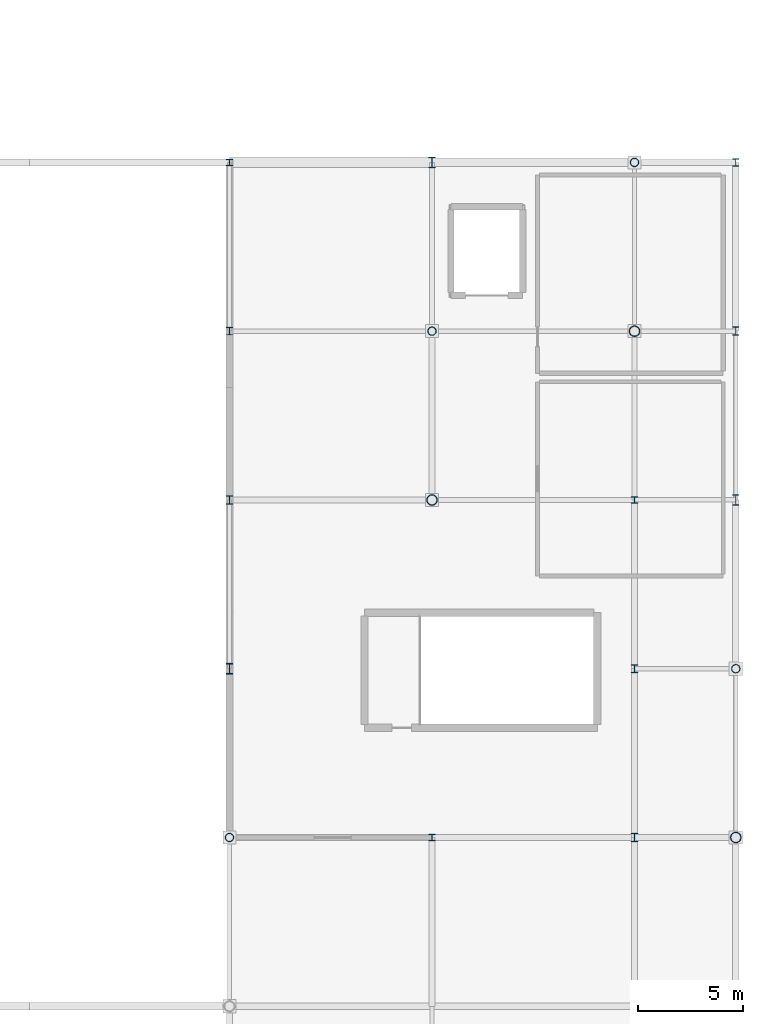
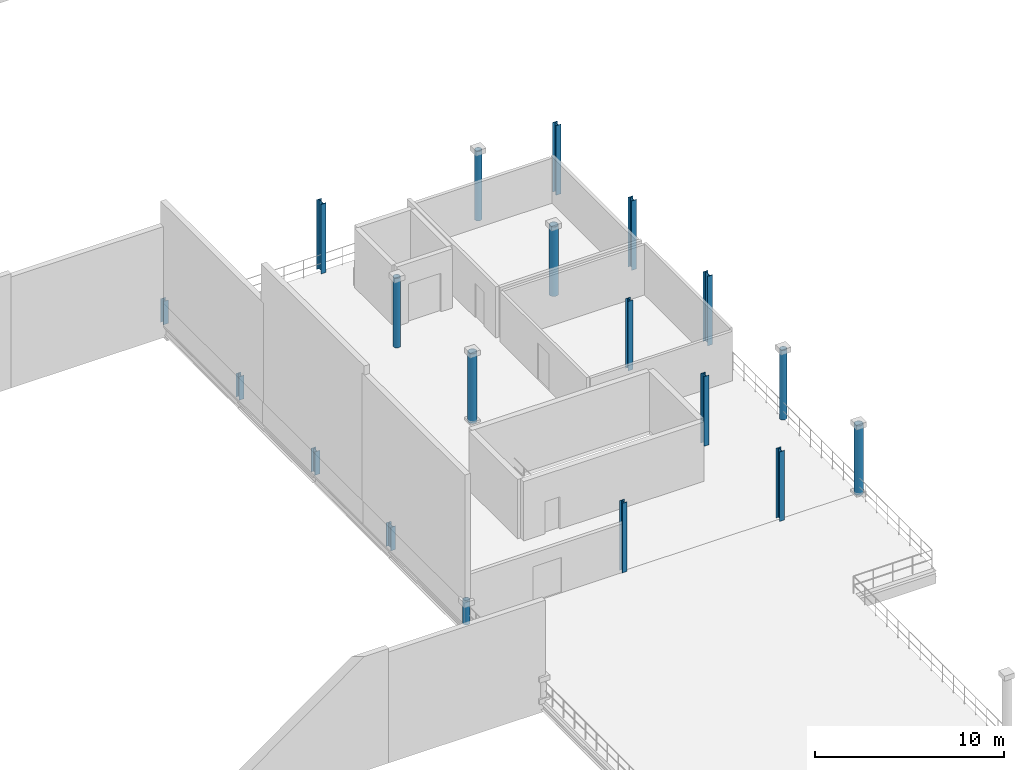
# One storey, part 11 of 59: 19 columns.
"""IFC4 building model written with IfcOpenShell, lengths in metres."""

from ifc_helpers import new_model, si_unit, direction, frame, origin, origin_2d, place, context, subcontext, project, spatial, hollow_circle, i_section, extrude, material, material_profile, profile_set, type_object, element, save


model = new_model("IFC4")

# Units and contexts
model_context = context("Model", 3, precision=1e-05, world=origin(), true_north=direction((0.0, 1.0)))
body_context = subcontext(model_context, "Body", "Model", "MODEL_VIEW")
ifc_project = project(units=[si_unit("LENGTHUNIT", "METRE"), si_unit("AREAUNIT", "SQUARE_METRE"), si_unit("VOLUMEUNIT", "CUBIC_METRE"), si_unit("PLANEANGLEUNIT", "RADIAN"), si_unit("MASSUNIT", "GRAM", prefix="KILO")], contexts=[model_context])

# Site, building, storey
site_placement = place(None, origin())
site = spatial("IfcSite", under=ifc_project, at=site_placement, CompositionType="ELEMENT")
building_placement = place(site_placement, origin())
building = spatial("IfcBuilding", under=site, at=building_placement, Name="Danafjord Basin Convention Centre", CompositionType="ELEMENT")
storey_placement = place(building_placement, frame((0.0, 0.0, 15.89990234375)))
storey = spatial("IfcBuildingStorey", under=building, at=storey_placement, Name="L03", CompositionType="ELEMENT", Elevation=15.89990234375)

# Columns
ifc_material = material(Name="Steel S355", Category="steel")
ifc_material_profile_1 = material_profile(ifc_material, hollow_circle(Radius=0.203125, WallThickness=0.02001953125, at=origin_2d()), Name="CHS 406.4x20.0")
ifc_profile_set_1 = profile_set([ifc_material_profile_1], Name="Steel S355")
column_type_1 = type_object("IfcColumnType", Name="COL-C-CHS406", PredefinedType="COLUMN", material=ifc_profile_set_1)
column_1_placement = place(storey_placement, frame((192.0, 48.0, 0.0), z_axis=(0.0, 0.0, 1.0), x_axis=(1.0, 0.0, 0.0)))
element("IfcColumn", 1, at=column_1_placement, inside=storey, type_object=column_type_1, Name="L03 column C-CHS406 at (192.0, 48.0)", PredefinedType="COLUMN", context=body_context, shape_type="SweptSolid", body=[
    extrude(hollow_circle(Radius=0.203125, WallThickness=0.02001953125, at=origin_2d()), origin(), (0.0, 0.0, 1.0), 1.52001953125),
])
for number, where, z_axis, x_axis, name in (
    (2, (201.60009765625, 72.0, 0.0), (0.0, 0.0, 1.0), (1.0, 0.0, 0.0), "L03 column C-CHS406 at (201.6, 72.0)"),
    (3, (211.199951171875, 80.0, 0.0), (0.0, 0.0, 1.0), (1.0, 0.0, 0.0), "L03 column C-CHS406 at (211.2, 80.0)"),
    (4, (216.0, 56.0, 0.0), (0.0, 0.0, 1.0), (1.0, 0.0, 0.0), "L03 column C-CHS406 at (216.0, 56.0)"),
):
    element("IfcColumn", number, at=place(storey_placement, frame(where, z_axis=z_axis, x_axis=x_axis)), inside=storey, type_object=column_type_1, Name=name, PredefinedType="COLUMN", context=body_context, shape_type="SweptSolid", body=[
        extrude(hollow_circle(Radius=0.203125, WallThickness=0.02001953125, at=origin_2d()), origin(), (0.0, 0.0, 1.0), 4.5),
    ])
ifc_material_profile_2 = material_profile(ifc_material, hollow_circle(Radius=0.25390625, WallThickness=0.02490234375, at=origin_2d()), Name="CHS 508.0x25.0")
ifc_profile_set_2 = profile_set([ifc_material_profile_2], Name="Steel S355")
column_type_2 = type_object("IfcColumnType", Name="COL-C-CHS508", PredefinedType="COLUMN", material=ifc_profile_set_2)
for number, where, z_axis, x_axis, name in (
    (5, (201.60009765625, 64.0, 0.0), (0.0, 0.0, 1.0), (1.0, 0.0, 0.0), "L03 column C-CHS508 at (201.6, 64.0)"),
    (6, (211.199951171875, 72.0, 0.0), (0.0, 0.0, 1.0), (1.0, 0.0, 0.0), "L03 column C-CHS508 at (211.2, 72.0)"),
    (7, (216.0, 48.0, 0.0), (0.0, 0.0, 1.0), (1.0, 0.0, 0.0), "L03 column C-CHS508 at (216.0, 48.0)"),
):
    element("IfcColumn", number, at=place(storey_placement, frame(where, z_axis=z_axis, x_axis=x_axis)), inside=storey, type_object=column_type_2, Name=name, PredefinedType="COLUMN", context=body_context, shape_type="SweptSolid", body=[
        extrude(hollow_circle(Radius=0.25390625, WallThickness=0.02490234375, at=origin_2d()), origin(), (0.0, 0.0, 1.0), 4.5),
    ])
ifc_material_profile_3 = material_profile(ifc_material, i_section(OverallWidth=0.300048828125, OverallDepth=0.300048828125, WebThickness=0.010986328125, FlangeThickness=0.01904296875, FilletRadius=0.027099609375, at=origin_2d()), Name="HEB 300")
ifc_profile_set_3 = profile_set([ifc_material_profile_3], Name="Steel S355")
column_type_3 = type_object("IfcColumnType", Name="COL-C-HEB300", PredefinedType="COLUMN", material=ifc_profile_set_3)
column_2_placement = place(storey_placement, frame((192.0, 80.0, 0.0), z_axis=(0.0, 0.0, 1.0), x_axis=(1.0, 0.0, 0.0)))
element("IfcColumn", 8, at=column_2_placement, inside=storey, type_object=column_type_3, Name="L03 column C-HEB300 at (192.0, 80.0)", PredefinedType="COLUMN", context=body_context, shape_type="SweptSolid", body=[
    extrude(i_section(OverallWidth=0.300048828125, OverallDepth=0.300048828125, WebThickness=0.010986328125, FlangeThickness=0.01904296875, FilletRadius=0.027099609375, at=origin_2d()), origin(), (0.0, 0.0, 1.0), 1.52001953125),
])
for number, where, z_axis, x_axis, name in (
    (9, (201.60009765625, 48.0, 0.0), (0.0, 0.0, 1.0), (1.0, 0.0, 0.0), "L03 column C-HEB300 at (201.6, 48.0)"),
    (10, (211.199951171875, 64.0, 0.0), (0.0, 0.0, 1.0), (1.0, 0.0, 0.0), "L03 column C-HEB300 at (211.2, 64.0)"),
):
    element("IfcColumn", number, at=place(storey_placement, frame(where, z_axis=z_axis, x_axis=x_axis)), inside=storey, type_object=column_type_3, Name=name, PredefinedType="COLUMN", context=body_context, shape_type="SweptSolid", body=[
        extrude(i_section(OverallWidth=0.300048828125, OverallDepth=0.300048828125, WebThickness=0.010986328125, FlangeThickness=0.01904296875, FilletRadius=0.027099609375, at=origin_2d()), origin(), (0.0, 0.0, 1.0), 4.5),
    ])
ifc_material_profile_4 = material_profile(ifc_material, i_section(OverallWidth=0.300048828125, OverallDepth=0.360107421875, WebThickness=0.012451171875, FlangeThickness=0.0224609375, FilletRadius=0.027099609375, at=origin_2d()), Name="HEB 360")
ifc_profile_set_4 = profile_set([ifc_material_profile_4], Name="Steel S355")
column_type_4 = type_object("IfcColumnType", Name="COL-C-HEB360", PredefinedType="COLUMN", material=ifc_profile_set_4)
column_3_placement = place(storey_placement, frame((192.0, 72.0, 0.0), z_axis=(0.0, 0.0, 1.0), x_axis=(1.0, 0.0, 0.0)))
element("IfcColumn", 11, at=column_3_placement, inside=storey, type_object=column_type_4, Name="L03 column C-HEB360 at (192.0, 72.0)", PredefinedType="COLUMN", context=body_context, shape_type="SweptSolid", body=[
    extrude(i_section(OverallWidth=0.300048828125, OverallDepth=0.360107421875, WebThickness=0.012451171875, FlangeThickness=0.0224609375, FilletRadius=0.027099609375, at=origin_2d()), origin(), (0.0, 0.0, 1.0), 1.52001953125),
])
for number, where, z_axis, x_axis, name in (
    (12, (211.199951171875, 56.0, 0.0), (0.0, 0.0, 1.0), (1.0, 0.0, 0.0), "L03 column C-HEB360 at (211.2, 56.0)"),
    (13, (216.0, 80.0, 0.0), (0.0, 0.0, 1.0), (1.0, 0.0, 0.0), "L03 column C-HEB360 at (216.0, 80.0)"),
):
    element("IfcColumn", number, at=place(storey_placement, frame(where, z_axis=z_axis, x_axis=x_axis)), inside=storey, type_object=column_type_4, Name=name, PredefinedType="COLUMN", context=body_context, shape_type="SweptSolid", body=[
        extrude(i_section(OverallWidth=0.300048828125, OverallDepth=0.360107421875, WebThickness=0.012451171875, FlangeThickness=0.0224609375, FilletRadius=0.027099609375, at=origin_2d()), origin(), (0.0, 0.0, 1.0), 4.5),
    ])
ifc_material_profile_5 = material_profile(ifc_material, i_section(OverallWidth=0.300048828125, OverallDepth=0.39990234375, WebThickness=0.013427734375, FlangeThickness=0.02392578125, FilletRadius=0.027099609375, at=origin_2d()), Name="HEB 400")
ifc_profile_set_5 = profile_set([ifc_material_profile_5], Name="Steel S355")
column_type_5 = type_object("IfcColumnType", Name="COL-C-HEB400", PredefinedType="COLUMN", material=ifc_profile_set_5)
column_4_placement = place(storey_placement, frame((192.0, 64.0, 0.0), z_axis=(0.0, 0.0, 1.0), x_axis=(1.0, 0.0, 0.0)))
element("IfcColumn", 14, at=column_4_placement, inside=storey, type_object=column_type_5, Name="L03 column C-HEB400 at (192.0, 64.0)", PredefinedType="COLUMN", context=body_context, shape_type="SweptSolid", body=[
    extrude(i_section(OverallWidth=0.300048828125, OverallDepth=0.39990234375, WebThickness=0.013427734375, FlangeThickness=0.02392578125, FilletRadius=0.027099609375, at=origin_2d()), origin(), (0.0, 0.0, 1.0), 1.52001953125),
])
for number, where, z_axis, x_axis, name in (
    (15, (211.199951171875, 48.0, 0.0), (0.0, 0.0, 1.0), (1.0, 0.0, 0.0), "L03 column C-HEB400 at (211.2, 48.0)"),
    (16, (216.0, 72.0, 0.0), (0.0, 0.0, 1.0), (1.0, 0.0, 0.0), "L03 column C-HEB400 at (216.0, 72.0)"),
):
    element("IfcColumn", number, at=place(storey_placement, frame(where, z_axis=z_axis, x_axis=x_axis)), inside=storey, type_object=column_type_5, Name=name, PredefinedType="COLUMN", context=body_context, shape_type="SweptSolid", body=[
        extrude(i_section(OverallWidth=0.300048828125, OverallDepth=0.39990234375, WebThickness=0.013427734375, FlangeThickness=0.02392578125, FilletRadius=0.027099609375, at=origin_2d()), origin(), (0.0, 0.0, 1.0), 4.5),
    ])
ifc_material_profile_6 = material_profile(ifc_material, i_section(OverallWidth=0.300048828125, OverallDepth=0.5, WebThickness=0.014404296875, FlangeThickness=0.028076171875, FilletRadius=0.027099609375, at=origin_2d()), Name="HEB 500")
ifc_profile_set_6 = profile_set([ifc_material_profile_6], Name="Steel S355")
column_type_6 = type_object("IfcColumnType", Name="COL-C-HEB500", PredefinedType="COLUMN", material=ifc_profile_set_6)
column_5_placement = place(storey_placement, frame((192.0, 56.0, 0.0), z_axis=(0.0, 0.0, 1.0), x_axis=(1.0, 0.0, 0.0)))
element("IfcColumn", 17, at=column_5_placement, inside=storey, type_object=column_type_6, Name="L03 column C-HEB500 at (192.0, 56.0)", PredefinedType="COLUMN", context=body_context, shape_type="SweptSolid", body=[
    extrude(i_section(OverallWidth=0.300048828125, OverallDepth=0.5, WebThickness=0.014404296875, FlangeThickness=0.028076171875, FilletRadius=0.027099609375, at=origin_2d()), origin(), (0.0, 0.0, 1.0), 1.52001953125),
])
for number, where, z_axis, x_axis, name in (
    (18, (201.60009765625, 80.0, 0.0), (0.0, 0.0, 1.0), (1.0, 0.0, 0.0), "L03 column C-HEB500 at (201.6, 80.0)"),
    (19, (216.0, 64.0, 0.0), (0.0, 0.0, 1.0), (1.0, 0.0, 0.0), "L03 column C-HEB500 at (216.0, 64.0)"),
):
    element("IfcColumn", number, at=place(storey_placement, frame(where, z_axis=z_axis, x_axis=x_axis)), inside=storey, type_object=column_type_6, Name=name, PredefinedType="COLUMN", context=body_context, shape_type="SweptSolid", body=[
        extrude(i_section(OverallWidth=0.300048828125, OverallDepth=0.5, WebThickness=0.014404296875, FlangeThickness=0.028076171875, FilletRadius=0.027099609375, at=origin_2d()), origin(), (0.0, 0.0, 1.0), 4.5),
    ])

save(model, "model.ifc")
